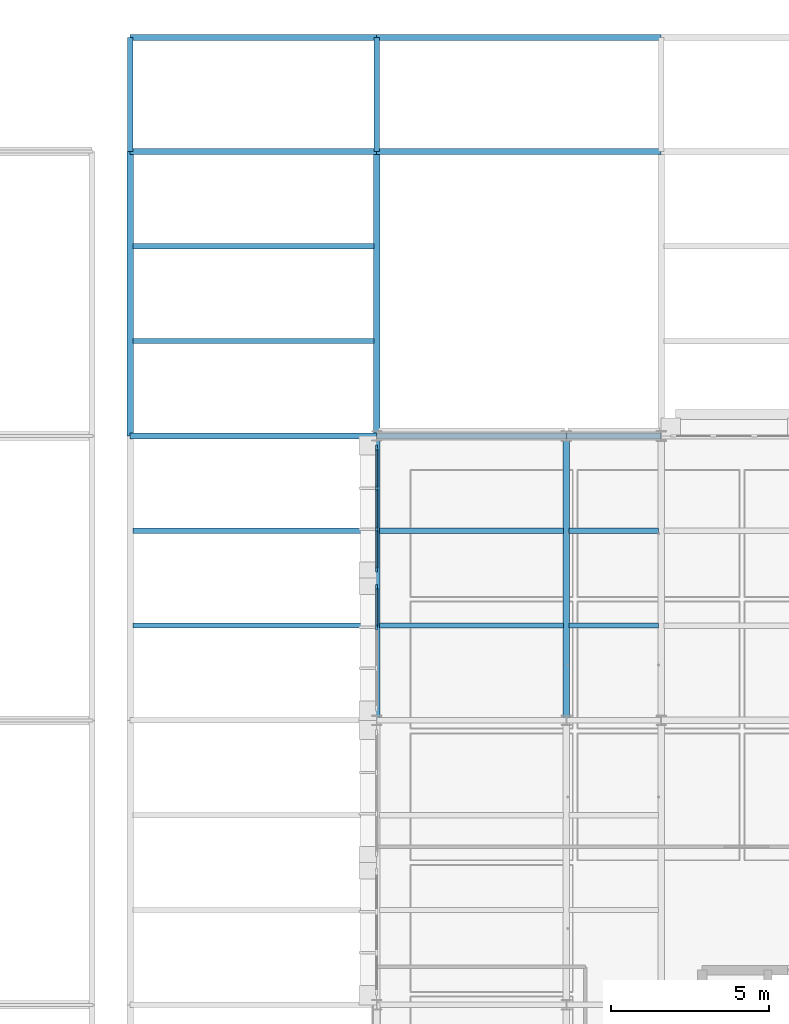
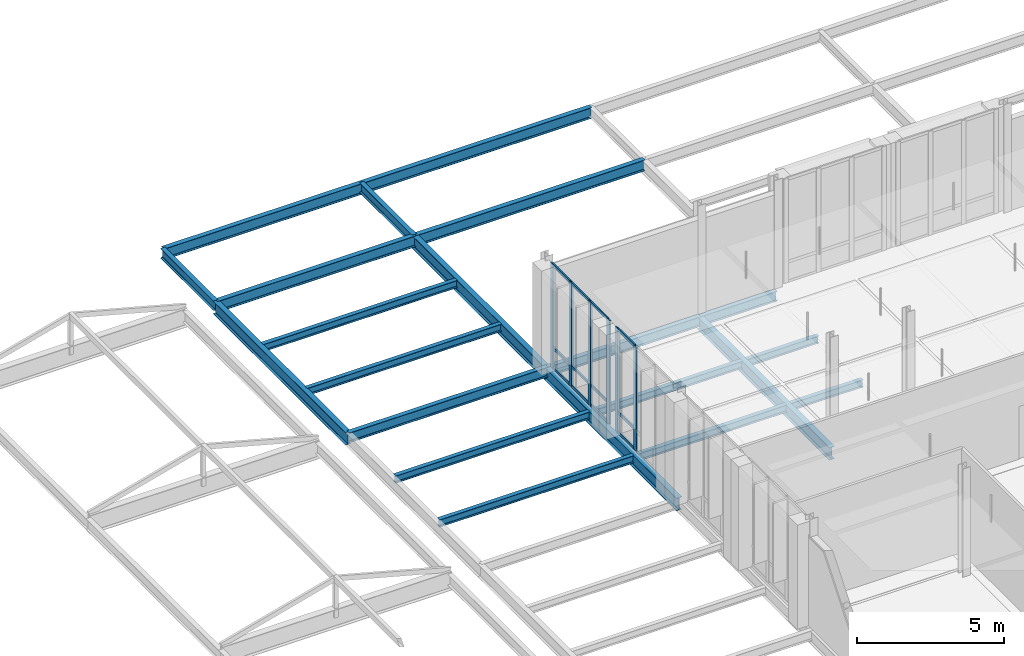
# One storey, part 50 of 140: 21 beams, 18 members, 2 elements without a shape of their own.
"""IFC4 building model written with IfcOpenShell, lengths in metres."""

from ifc_helpers import new_model, si_unit, direction, frame, origin, origin_2d, place, context, subcontext, project, spatial, rectangle, i_section, extrude, material, material_profile, profile_set, type_object, element, aggregate, save


model = new_model("IFC4")

# Units and contexts
model_context = context("Model", 3, precision=1e-05, world=origin(), true_north=direction((0.0, 1.0)))
body_context = subcontext(model_context, "Body", "Model", "MODEL_VIEW")
ifc_project = project(units=[si_unit("LENGTHUNIT", "METRE"), si_unit("AREAUNIT", "SQUARE_METRE"), si_unit("VOLUMEUNIT", "CUBIC_METRE"), si_unit("PLANEANGLEUNIT", "RADIAN"), si_unit("MASSUNIT", "GRAM", prefix="KILO"), si_unit("THERMODYNAMICTEMPERATUREUNIT", "KELVIN"), si_unit("POWERUNIT", "WATT")], contexts=[model_context])

# Site, building, storey
site_placement = place(None, origin())
site = spatial("IfcSite", under=ifc_project, at=site_placement, CompositionType="ELEMENT")
building_placement = place(site_placement, origin())
building = spatial("IfcBuilding", under=site, at=building_placement, Name="Tallowbark Science Centre", CompositionType="ELEMENT")
storey_placement = place(building_placement, frame((0.0, 0.0, 9.89990234375)))
storey = spatial("IfcBuildingStorey", under=building, at=storey_placement, Name="L02", CompositionType="ELEMENT", Elevation=9.89990234375)

# Beams
ifc_material_1 = material(Name="Structural Steel Grade 300PLUS (300 MPa)", Category="steel")
ifc_material_profile_1 = material_profile(ifc_material_1, i_section(OverallWidth=0.177734375, OverallDepth=0.406494140625, WebThickness=0.0078125, FlangeThickness=0.0126953125, FilletRadius=0.011474609375, at=origin_2d()), Name="410UB59.7")
ifc_profile_set_1 = profile_set([ifc_material_profile_1], Name="Structural Steel Grade 300PLUS (300 MPa)")
beam_type_1 = type_object("IfcBeamType", Name="BM-UB410", PredefinedType="BEAM", material=ifc_profile_set_1)
beam_1_placement = place(storey_placement, frame((55.199951171875, 99.0, -0.383056640625), z_axis=(1.0, 0.0, 0.0), x_axis=(0.0, 1.0, 0.0)))
element("IfcBeam", 1, at=beam_1_placement, inside=storey, type_object=beam_type_1, Name="Primary Girder GRDX-L02-552-630-990", PredefinedType="BEAM", context=body_context, shape_type="SweptSolid", body=[
    extrude(i_section(OverallWidth=0.177734375, OverallDepth=0.406494140625, WebThickness=0.0078125, FlangeThickness=0.0126953125, FilletRadius=0.011474609375, at=origin_2d()), origin(), (0.0, 0.0, 1.0), 7.800048828125),
])
beam_2_placement = place(storey_placement, frame((63.0, 99.0, -0.383056640625), z_axis=(1.0, 0.0, 0.0), x_axis=(0.0, 1.0, 0.0)))
element("IfcBeam", 2, at=beam_2_placement, inside=storey, type_object=beam_type_1, Name="Primary Girder GRDX-L02-630-690-990", PredefinedType="BEAM", context=body_context, shape_type="SweptSolid", body=[
    extrude(i_section(OverallWidth=0.177734375, OverallDepth=0.406494140625, WebThickness=0.0078125, FlangeThickness=0.0126953125, FilletRadius=0.011474609375, at=origin_2d()), origin(), (0.0, 0.0, 1.0), 6.0),
])
beam_3_placement = place(storey_placement, frame((69.0, 99.0, -0.383056640625), z_axis=(1.0, 0.0, 0.0), x_axis=(0.0, 1.0, 0.0)))
element("IfcBeam", 3, at=beam_3_placement, inside=storey, type_object=beam_type_1, Name="Primary Girder GRDX-L02-690-720-990", PredefinedType="BEAM", context=body_context, shape_type="SweptSolid", body=[
    extrude(i_section(OverallWidth=0.177734375, OverallDepth=0.406494140625, WebThickness=0.0078125, FlangeThickness=0.0126953125, FilletRadius=0.011474609375, at=origin_2d()), origin(), (0.0, 0.0, 1.0), 3.0),
])
for number, where, z_axis, x_axis, name in (
    (4, (55.199951171875, 108.0, -0.383056640625), (0.0, 1.0, 0.0), (-1.0, 0.0, 0.0), "Primary Girder GRDY-L02-552-1080-1116"),
    (5, (63.0, 108.0, -0.383056640625), (0.0, 1.0, 0.0), (-1.0, 0.0, 0.0), "Primary Girder GRDY-L02-630-1080-1116"),
):
    element("IfcBeam", number, at=place(storey_placement, frame(where, z_axis=z_axis, x_axis=x_axis)), inside=storey, type_object=beam_type_1, Name=name, PredefinedType="BEAM", context=body_context, shape_type="SweptSolid", body=[
        extrude(i_section(OverallWidth=0.177734375, OverallDepth=0.406494140625, WebThickness=0.0078125, FlangeThickness=0.0126953125, FilletRadius=0.011474609375, at=origin_2d()), origin(), (0.0, 0.0, 1.0), 3.60009765625),
    ])
ifc_material_profile_2 = material_profile(ifc_material_1, i_section(OverallWidth=0.208740234375, OverallDepth=0.5283203125, WebThickness=0.009521484375, FlangeThickness=0.01318359375, FilletRadius=0.013916015625, at=origin_2d()), Name="530UB82.0")
ifc_profile_set_2 = profile_set([ifc_material_profile_2], Name="Structural Steel Grade 300PLUS (300 MPa)")
beam_type_2 = type_object("IfcBeamType", Name="BM-UB530B", PredefinedType="BEAM", material=ifc_profile_set_2)
for number, where, z_axis, x_axis, name in (
    (6, (55.199951171875, 99.0, -0.444091796875), (0.0, 1.0, 0.0), (-1.0, 0.0, 0.0), "Primary Girder GRDY-L02-552-990-1080"),
    (7, (63.0, 90.0, -0.444091796875), (0.0, 1.0, 0.0), (-1.0, 0.0, 0.0), "Primary Girder GRDY-L02-630-900-990"),
    (8, (63.0, 99.0, -0.444091796875), (0.0, 1.0, 0.0), (-1.0, 0.0, 0.0), "Primary Girder GRDY-L02-630-990-1080"),
    (9, (69.0, 90.0, -0.444091796875), (0.0, 1.0, 0.0), (-1.0, 0.0, 0.0), "Primary Girder GRDY-L02-690-900-990"),
):
    element("IfcBeam", number, at=place(storey_placement, frame(where, z_axis=z_axis, x_axis=x_axis)), inside=storey, type_object=beam_type_2, Name=name, PredefinedType="BEAM", context=body_context, shape_type="SweptSolid", body=[
        extrude(i_section(OverallWidth=0.208740234375, OverallDepth=0.5283203125, WebThickness=0.009521484375, FlangeThickness=0.01318359375, FilletRadius=0.013916015625, at=origin_2d()), origin(), (0.0, 0.0, 1.0), 9.0),
    ])

# Curtain wall, members
ifc_material_2 = material(Name="Unitised Thermally Broken Aluminium and Low-E Double Glazing", Category="aluminium")
curtain_wall_type = type_object("IfcCurtainWallType", Name="CW-SYS-FACADE", PredefinedType="NOTDEFINED", material=ifc_material_2)
curtain_wall_1_placement = place(storey_placement, origin())
curtain_wall_1 = element("IfcCurtainWall", 10, at=curtain_wall_1_placement, inside=storey, type_object=curtain_wall_type, Name="Unitised Curtain Wall LAB-W-90A CW-L02-068", PredefinedType="NOTDEFINED")
ifc_material_3 = material(Name="Anodised Architectural Aluminium Alloy 6063-T6", Category="aluminium")
ifc_material_profile_3 = material_profile(ifc_material_3, rectangle(XDim=0.06494140625, YDim=0.179931640625, at=origin_2d()), Name="ALU65x180")
ifc_profile_set_3 = profile_set([ifc_material_profile_3], Name="Anodised Architectural Aluminium Alloy 6063-T6")
member_type_1 = type_object("IfcMemberType", Name="CWM-MUL-220", PredefinedType="MULLION", material=ifc_profile_set_3)
member_1_placement = place(storey_placement, frame((63.0, 98.617431640625, 0.0), z_axis=(0.0, 0.0, 1.0), x_axis=(1.0, 0.0, 0.0)))
member_1 = element("IfcMember", 11, at=member_1_placement, type_object=member_type_1, Name="CW-01 mullion 1", PredefinedType="MULLION", context=body_context, shape_type="SweptSolid", body=[
    extrude(rectangle(XDim=0.06494140625, YDim=0.179931640625, at=origin_2d()), origin(), (0.0, 0.0, 1.0), 4.320068359375),
])
member_2_placement = place(storey_placement, frame((63.0, 97.35009765625, 0.0), z_axis=(0.0, 0.0, 1.0), x_axis=(1.0, 0.0, 0.0)))
member_2 = element("IfcMember", 12, at=member_2_placement, type_object=member_type_1, Name="CW-01 mullion 2", PredefinedType="MULLION", context=body_context, shape_type="SweptSolid", body=[
    extrude(rectangle(XDim=0.06494140625, YDim=0.179931640625, at=origin_2d()), origin(), (0.0, 0.0, 1.0), 4.320068359375),
])
member_3_placement = place(storey_placement, frame((63.0, 96.050048828125, 0.0), z_axis=(0.0, 0.0, 1.0), x_axis=(1.0, 0.0, 0.0)))
member_3 = element("IfcMember", 13, at=member_3_placement, type_object=member_type_1, Name="CW-01 mullion 3", PredefinedType="MULLION", context=body_context, shape_type="SweptSolid", body=[
    extrude(rectangle(XDim=0.06494140625, YDim=0.179931640625, at=origin_2d()), origin(), (0.0, 0.0, 1.0), 4.320068359375),
])
member_4_placement = place(storey_placement, frame((63.0, 94.782470703125, 0.0), z_axis=(0.0, 0.0, 1.0), x_axis=(1.0, 0.0, 0.0)))
member_4 = element("IfcMember", 14, at=member_4_placement, type_object=member_type_1, Name="CW-01 mullion 4", PredefinedType="MULLION", context=body_context, shape_type="SweptSolid", body=[
    extrude(rectangle(XDim=0.06494140625, YDim=0.179931640625, at=origin_2d()), origin(), (0.0, 0.0, 1.0), 4.320068359375),
])

curtain_wall_2_placement = place(storey_placement, origin())
curtain_wall_2 = element("IfcCurtainWall", 15, at=curtain_wall_2_placement, inside=storey, type_object=curtain_wall_type, Name="Unitised Curtain Wall LAB-W-90B CW-L02-069", PredefinedType="NOTDEFINED")
member_5_placement = place(storey_placement, frame((63.0, 94.217529296875, 0.0), z_axis=(0.0, 0.0, 1.0), x_axis=(1.0, 0.0, 0.0)))
member_5 = element("IfcMember", 16, at=member_5_placement, type_object=member_type_1, Name="CW-01 mullion 1", PredefinedType="MULLION", context=body_context, shape_type="SweptSolid", body=[
    extrude(rectangle(XDim=0.06494140625, YDim=0.179931640625, at=origin_2d()), origin(), (0.0, 0.0, 1.0), 4.320068359375),
])
member_6_placement = place(storey_placement, frame((63.0, 92.949951171875, 0.0), z_axis=(0.0, 0.0, 1.0), x_axis=(1.0, 0.0, 0.0)))
member_6 = element("IfcMember", 17, at=member_6_placement, type_object=member_type_1, Name="CW-01 mullion 2", PredefinedType="MULLION", context=body_context, shape_type="SweptSolid", body=[
    extrude(rectangle(XDim=0.06494140625, YDim=0.179931640625, at=origin_2d()), origin(), (0.0, 0.0, 1.0), 4.320068359375),
])

# Member
ifc_material_profile_4 = material_profile(ifc_material_3, rectangle(XDim=0.054931640625, YDim=0.1201171875, at=origin_2d()), Name="ALU55x120")
ifc_profile_set_4 = profile_set([ifc_material_profile_4], Name="Anodised Architectural Aluminium Alloy 6063-T6")
member_type_2 = type_object("IfcMemberType", Name="CWM-TRN-150", PredefinedType="USERDEFINED", material=ifc_profile_set_4)
member_7_placement = place(storey_placement, frame((63.0, 98.5849609375, 0.027587890625), z_axis=(0.0, -1.0, 0.0), x_axis=(1.0, 0.0, 0.0)))
member_7 = element("IfcMember", 18, at=member_7_placement, type_object=member_type_2, Name="CW-01 transom 1.1", ObjectType="TRANSOM", PredefinedType="USERDEFINED", context=body_context, shape_type="SweptSolid", body=[
    extrude(rectangle(XDim=0.054931640625, YDim=0.1201171875, at=origin_2d()), origin(), (0.0, 0.0, 1.0), 1.202392578125),
])

member_8_placement = place(storey_placement, frame((63.0, 98.5849609375, 0.85009765625), z_axis=(0.0, -1.0, 0.0), x_axis=(1.0, 0.0, 0.0)))
member_8 = element("IfcMember", 19, at=member_8_placement, type_object=member_type_2, Name="CW-01 transom 1.2", ObjectType="TRANSOM", PredefinedType="USERDEFINED", context=body_context, shape_type="SweptSolid", body=[
    extrude(rectangle(XDim=0.054931640625, YDim=0.1201171875, at=origin_2d()), origin(), (0.0, 0.0, 1.0), 1.202392578125),
])

member_9_placement = place(storey_placement, frame((63.0, 98.5849609375, 4.29248046875), z_axis=(0.0, -1.0, 0.0), x_axis=(1.0, 0.0, 0.0)))
member_9 = element("IfcMember", 20, at=member_9_placement, type_object=member_type_2, Name="CW-01 transom 1.3", ObjectType="TRANSOM", PredefinedType="USERDEFINED", context=body_context, shape_type="SweptSolid", body=[
    extrude(rectangle(XDim=0.054931640625, YDim=0.1201171875, at=origin_2d()), origin(), (0.0, 0.0, 1.0), 1.202392578125),
])

member_10_placement = place(storey_placement, frame((63.0, 97.3173828125, 0.027587890625), z_axis=(0.0, -1.0, 0.0), x_axis=(1.0, 0.0, 0.0)))
member_10 = element("IfcMember", 21, at=member_10_placement, type_object=member_type_2, Name="CW-01 transom 2.1", ObjectType="TRANSOM", PredefinedType="USERDEFINED", context=body_context, shape_type="SweptSolid", body=[
    extrude(rectangle(XDim=0.054931640625, YDim=0.1201171875, at=origin_2d()), origin(), (0.0, 0.0, 1.0), 1.23486328125),
])

member_11_placement = place(storey_placement, frame((63.0, 97.3173828125, 0.85009765625), z_axis=(0.0, -1.0, 0.0), x_axis=(1.0, 0.0, 0.0)))
member_11 = element("IfcMember", 22, at=member_11_placement, type_object=member_type_2, Name="CW-01 transom 2.2", ObjectType="TRANSOM", PredefinedType="USERDEFINED", context=body_context, shape_type="SweptSolid", body=[
    extrude(rectangle(XDim=0.054931640625, YDim=0.1201171875, at=origin_2d()), origin(), (0.0, 0.0, 1.0), 1.23486328125),
])

member_12_placement = place(storey_placement, frame((63.0, 97.3173828125, 4.29248046875), z_axis=(0.0, -1.0, 0.0), x_axis=(1.0, 0.0, 0.0)))
member_12 = element("IfcMember", 23, at=member_12_placement, type_object=member_type_2, Name="CW-01 transom 2.3", ObjectType="TRANSOM", PredefinedType="USERDEFINED", context=body_context, shape_type="SweptSolid", body=[
    extrude(rectangle(XDim=0.054931640625, YDim=0.1201171875, at=origin_2d()), origin(), (0.0, 0.0, 1.0), 1.23486328125),
])

member_13_placement = place(storey_placement, frame((63.0, 96.017578125, 0.027587890625), z_axis=(0.0, -1.0, 0.0), x_axis=(1.0, 0.0, 0.0)))
member_13 = element("IfcMember", 24, at=member_13_placement, type_object=member_type_2, Name="CW-01 transom 3.1", ObjectType="TRANSOM", PredefinedType="USERDEFINED", context=body_context, shape_type="SweptSolid", body=[
    extrude(rectangle(XDim=0.054931640625, YDim=0.1201171875, at=origin_2d()), origin(), (0.0, 0.0, 1.0), 1.20263671875),
])

member_14_placement = place(storey_placement, frame((63.0, 96.017578125, 0.85009765625), z_axis=(0.0, -1.0, 0.0), x_axis=(1.0, 0.0, 0.0)))
member_14 = element("IfcMember", 25, at=member_14_placement, type_object=member_type_2, Name="CW-01 transom 3.2", ObjectType="TRANSOM", PredefinedType="USERDEFINED", context=body_context, shape_type="SweptSolid", body=[
    extrude(rectangle(XDim=0.054931640625, YDim=0.1201171875, at=origin_2d()), origin(), (0.0, 0.0, 1.0), 1.20263671875),
])

member_15_placement = place(storey_placement, frame((63.0, 96.017578125, 4.29248046875), z_axis=(0.0, -1.0, 0.0), x_axis=(1.0, 0.0, 0.0)))
member_15 = element("IfcMember", 26, at=member_15_placement, type_object=member_type_2, Name="CW-01 transom 3.3", ObjectType="TRANSOM", PredefinedType="USERDEFINED", context=body_context, shape_type="SweptSolid", body=[
    extrude(rectangle(XDim=0.054931640625, YDim=0.1201171875, at=origin_2d()), origin(), (0.0, 0.0, 1.0), 1.20263671875),
])

aggregate(curtain_wall_1, [member_1, member_2, member_3, member_4, member_7, member_8, member_9, member_10, member_11, member_12, member_13, member_14, member_15])

member_16_placement = place(storey_placement, frame((63.0, 94.18505859375, 0.027587890625), z_axis=(0.0, -1.0, 0.0), x_axis=(1.0, 0.0, 0.0)))
member_16 = element("IfcMember", 27, at=member_16_placement, type_object=member_type_2, Name="CW-01 transom 1.1", ObjectType="TRANSOM", PredefinedType="USERDEFINED", context=body_context, shape_type="SweptSolid", body=[
    extrude(rectangle(XDim=0.054931640625, YDim=0.1201171875, at=origin_2d()), origin(), (0.0, 0.0, 1.0), 1.20263671875),
])

member_17_placement = place(storey_placement, frame((63.0, 94.18505859375, 0.85009765625), z_axis=(0.0, -1.0, 0.0), x_axis=(1.0, 0.0, 0.0)))
member_17 = element("IfcMember", 28, at=member_17_placement, type_object=member_type_2, Name="CW-01 transom 1.2", ObjectType="TRANSOM", PredefinedType="USERDEFINED", context=body_context, shape_type="SweptSolid", body=[
    extrude(rectangle(XDim=0.054931640625, YDim=0.1201171875, at=origin_2d()), origin(), (0.0, 0.0, 1.0), 1.20263671875),
])

member_18_placement = place(storey_placement, frame((63.0, 94.18505859375, 4.29248046875), z_axis=(0.0, -1.0, 0.0), x_axis=(1.0, 0.0, 0.0)))
member_18 = element("IfcMember", 29, at=member_18_placement, type_object=member_type_2, Name="CW-01 transom 1.3", ObjectType="TRANSOM", PredefinedType="USERDEFINED", context=body_context, shape_type="SweptSolid", body=[
    extrude(rectangle(XDim=0.054931640625, YDim=0.1201171875, at=origin_2d()), origin(), (0.0, 0.0, 1.0), 1.20263671875),
])

aggregate(curtain_wall_2, [member_5, member_6, member_16, member_17, member_18])

# Beams
ifc_material_profile_5 = material_profile(ifc_material_1, i_section(OverallWidth=0.166015625, OverallDepth=0.30712890625, WebThickness=0.006591796875, FlangeThickness=0.01171875, FilletRadius=0.011474609375, at=origin_2d()), Name="310UB46.2")
ifc_profile_set_5 = profile_set([ifc_material_profile_5], Name="Structural Steel Grade 300PLUS (300 MPa)")
beam_type_3 = type_object("IfcBeamType", Name="JST-UB310", PredefinedType="JOIST", material=ifc_profile_set_5)
for number, where, z_axis, x_axis, name in (
    (30, (55.284912109375, 93.0, -0.33349609375), (1.0, 0.0, 0.0), (0.0, 1.0, 0.0), "Composite Floor Joist JSTX-L02-552-930"),
    (31, (55.284912109375, 96.0, -0.33349609375), (1.0, 0.0, 0.0), (0.0, 1.0, 0.0), "Composite Floor Joist JSTX-L02-552-960"),
):
    element("IfcBeam", number, at=place(storey_placement, frame(where, z_axis=z_axis, x_axis=x_axis)), inside=storey, type_object=beam_type_3, Name=name, PredefinedType="JOIST", context=body_context, shape_type="SweptSolid", body=[
        extrude(i_section(OverallWidth=0.166015625, OverallDepth=0.30712890625, WebThickness=0.006591796875, FlangeThickness=0.01171875, FilletRadius=0.011474609375, at=origin_2d()), origin(), (0.0, 0.0, 1.0), 7.630126953125),
    ])
for number, where, z_axis, x_axis, name in (
    (32, (63.0849609375, 93.0, -0.33349609375), (1.0, 0.0, 0.0), (0.0, 1.0, 0.0), "Composite Floor Joist JSTX-L02-630-930"),
    (33, (63.0849609375, 96.0, -0.33349609375), (1.0, 0.0, 0.0), (0.0, 1.0, 0.0), "Composite Floor Joist JSTX-L02-630-960"),
):
    element("IfcBeam", number, at=place(storey_placement, frame(where, z_axis=z_axis, x_axis=x_axis)), inside=storey, type_object=beam_type_3, Name=name, PredefinedType="JOIST", context=body_context, shape_type="SweptSolid", body=[
        extrude(i_section(OverallWidth=0.166015625, OverallDepth=0.30712890625, WebThickness=0.006591796875, FlangeThickness=0.01171875, FilletRadius=0.011474609375, at=origin_2d()), origin(), (0.0, 0.0, 1.0), 5.830078125),
    ])
for number, where, z_axis, x_axis, name in (
    (34, (69.0849609375, 93.0, -0.33349609375), (1.0, 0.0, 0.0), (0.0, 1.0, 0.0), "Composite Floor Joist JSTX-L02-690-930"),
    (35, (69.0849609375, 96.0, -0.33349609375), (1.0, 0.0, 0.0), (0.0, 1.0, 0.0), "Composite Floor Joist JSTX-L02-690-960"),
):
    element("IfcBeam", number, at=place(storey_placement, frame(where, z_axis=z_axis, x_axis=x_axis)), inside=storey, type_object=beam_type_3, Name=name, PredefinedType="JOIST", context=body_context, shape_type="SweptSolid", body=[
        extrude(i_section(OverallWidth=0.166015625, OverallDepth=0.30712890625, WebThickness=0.006591796875, FlangeThickness=0.01171875, FilletRadius=0.011474609375, at=origin_2d()), origin(), (0.0, 0.0, 1.0), 2.830078125),
    ])
for number, where, z_axis, x_axis, name in (
    (36, (55.284912109375, 102.0, -0.33349609375), (1.0, 0.0, 0.0), (0.0, 1.0, 0.0), "Composite Floor Joist JSTX-L02-552-1020"),
    (37, (55.284912109375, 105.0, -0.33349609375), (1.0, 0.0, 0.0), (0.0, 1.0, 0.0), "Composite Floor Joist JSTX-L02-552-1050"),
):
    element("IfcBeam", number, at=place(storey_placement, frame(where, z_axis=z_axis, x_axis=x_axis)), inside=storey, type_object=beam_type_3, Name=name, PredefinedType="JOIST", context=body_context, shape_type="SweptSolid", body=[
        extrude(i_section(OverallWidth=0.166015625, OverallDepth=0.30712890625, WebThickness=0.006591796875, FlangeThickness=0.01171875, FilletRadius=0.011474609375, at=origin_2d()), origin(), (0.0, 0.0, 1.0), 7.630126953125),
    ])
ifc_material_profile_6 = material_profile(ifc_material_1, i_section(OverallWidth=0.18994140625, OverallDepth=0.453857421875, WebThickness=0.008544921875, FlangeThickness=0.0126953125, FilletRadius=0.011474609375, at=origin_2d()), Name="460UB67.1")
ifc_profile_set_6 = profile_set([ifc_material_profile_6], Name="Structural Steel Grade 300PLUS (300 MPa)")
beam_type_4 = type_object("IfcBeamType", Name="SPN-UB460", PredefinedType="SPANDREL", material=ifc_profile_set_6)
beam_4_placement = place(storey_placement, frame((55.199951171875, 108.0, -0.40673828125), z_axis=(1.0, 0.0, 0.0), x_axis=(0.0, 1.0, 0.0)))
element("IfcBeam", 38, at=beam_4_placement, inside=storey, type_object=beam_type_4, Name="Primary Girder GRDX-L02-552-630-1080", PredefinedType="SPANDREL", context=body_context, shape_type="SweptSolid", body=[
    extrude(i_section(OverallWidth=0.18994140625, OverallDepth=0.453857421875, WebThickness=0.008544921875, FlangeThickness=0.0126953125, FilletRadius=0.011474609375, at=origin_2d()), origin(), (0.0, 0.0, 1.0), 7.800048828125),
])
beam_5_placement = place(storey_placement, frame((63.0, 108.0, -0.40673828125), z_axis=(1.0, 0.0, 0.0), x_axis=(0.0, 1.0, 0.0)))
element("IfcBeam", 39, at=beam_5_placement, inside=storey, type_object=beam_type_4, Name="Primary Girder GRDX-L02-630-720-1080", PredefinedType="SPANDREL", context=body_context, shape_type="SweptSolid", body=[
    extrude(i_section(OverallWidth=0.18994140625, OverallDepth=0.453857421875, WebThickness=0.008544921875, FlangeThickness=0.0126953125, FilletRadius=0.011474609375, at=origin_2d()), origin(), (0.0, 0.0, 1.0), 9.0),
])
beam_6_placement = place(storey_placement, frame((55.199951171875, 111.60009765625, -0.40673828125), z_axis=(1.0, 0.0, 0.0), x_axis=(0.0, 1.0, 0.0)))
element("IfcBeam", 40, at=beam_6_placement, inside=storey, type_object=beam_type_4, Name="Primary Girder GRDX-L02-552-630-1116", PredefinedType="SPANDREL", context=body_context, shape_type="SweptSolid", body=[
    extrude(i_section(OverallWidth=0.18994140625, OverallDepth=0.453857421875, WebThickness=0.008544921875, FlangeThickness=0.0126953125, FilletRadius=0.011474609375, at=origin_2d()), origin(), (0.0, 0.0, 1.0), 7.800048828125),
])
beam_7_placement = place(storey_placement, frame((63.0, 111.60009765625, -0.40673828125), z_axis=(1.0, 0.0, 0.0), x_axis=(0.0, 1.0, 0.0)))
element("IfcBeam", 41, at=beam_7_placement, inside=storey, type_object=beam_type_4, Name="Primary Girder GRDX-L02-630-720-1116", PredefinedType="SPANDREL", context=body_context, shape_type="SweptSolid", body=[
    extrude(i_section(OverallWidth=0.18994140625, OverallDepth=0.453857421875, WebThickness=0.008544921875, FlangeThickness=0.0126953125, FilletRadius=0.011474609375, at=origin_2d()), origin(), (0.0, 0.0, 1.0), 9.0),
])

save(model, "model.ifc")
